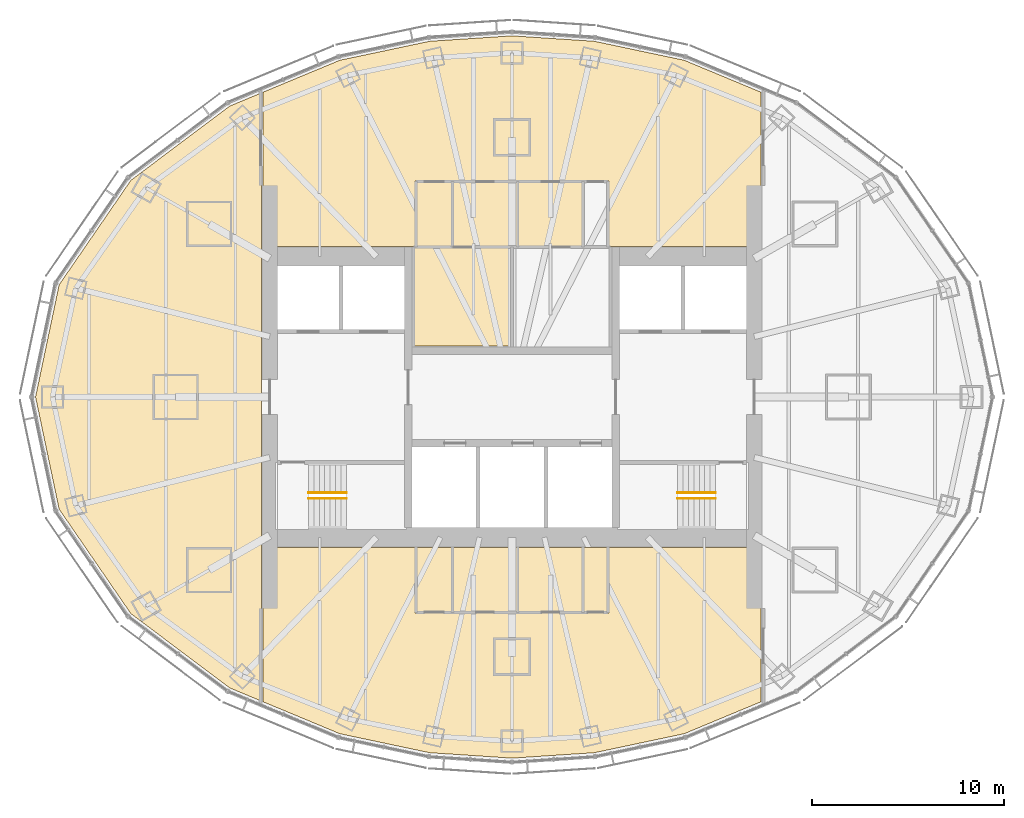
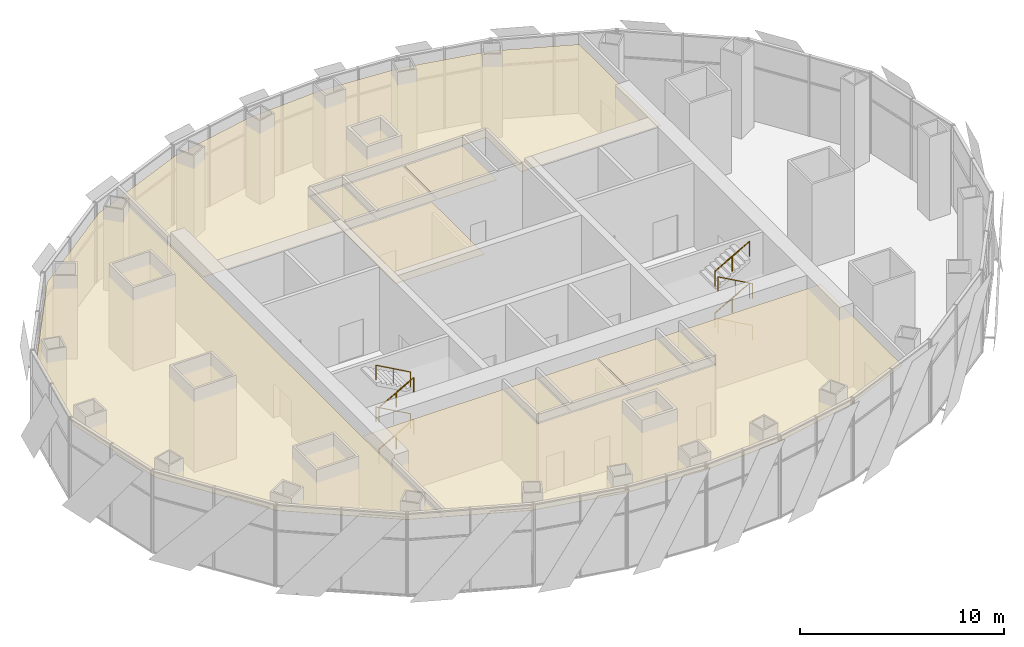
# One storey, part 17 of 17: 11 coverings, 8 railings.
"""IFC4 building model written with IfcOpenShell, lengths in metres."""

from ifc_helpers import new_model, si_unit, direction, frame, origin, origin_2d, place, context, subcontext, project, spatial, polyline, circle, outline, extrude, material, layer, layer_set, type_object, element, save


model = new_model("IFC4")

# Units and contexts
model_context = context("Model", 3, precision=1e-05, world=origin(), true_north=direction((0.0, 1.0)))
body_context = subcontext(model_context, "Body", "Model", "MODEL_VIEW")
ifc_project = project(units=[si_unit("LENGTHUNIT", "METRE"), si_unit("AREAUNIT", "SQUARE_METRE"), si_unit("VOLUMEUNIT", "CUBIC_METRE"), si_unit("PLANEANGLEUNIT", "RADIAN"), si_unit("MASSUNIT", "GRAM", prefix="KILO")], contexts=[model_context])

# Site, building, storey
site_placement = place(None, origin())
site = spatial("IfcSite", under=ifc_project, at=site_placement, CompositionType="ELEMENT")
building_placement = place(site_placement, origin())
building = spatial("IfcBuilding", under=site, at=building_placement, Name="Lantaw Convention Tower", CompositionType="ELEMENT")
storey_placement = place(building_placement, frame((0.0, 0.0, 279.39990234375)))
storey = spatial("IfcBuildingStorey", under=building, at=storey_placement, Name="L65", CompositionType="ELEMENT", Elevation=279.39990234375)

# Railings
ifc_material_1 = material(Name="Stainless steel", Category="steel")
railing_type = type_object("IfcRailingType", Name="Stair handrail", PredefinedType="HANDRAIL", material=ifc_material_1)
railing_1_placement = place(storey_placement, frame((-10.580078125, -5.280029296875, 0.15625)))
element("IfcRailing", 1, at=railing_1_placement, inside=storey, type_object=railing_type, Name="Stair handrail S1", PredefinedType="HANDRAIL", context=body_context, shape_type="SweptSolid", body=[
    extrude(circle(Radius=0.02392578125, at=origin_2d()), frame((0.0, 0.0, 0.8759765625), z_axis=(0.873232148454, 0.0, 0.487304437602), x_axis=(0.0, 1.0, 0.0)), (0.0, 0.0, 1.0), 2.244384765625),
    extrude(circle(Radius=0.02099609375, at=origin_2d()), origin(), (0.0, 0.0, 1.0), 0.851806640625),
    extrude(circle(Radius=0.02099609375, at=origin_2d()), frame((0.97998046875, 0.0, 0.546875)), (0.0, 0.0, 1.0), 0.851806640625),
    extrude(circle(Radius=0.02099609375, at=origin_2d()), frame((1.9599609375, 0.0, 1.09375)), (0.0, 0.0, 1.0), 0.851806640625),
])
railing_2_placement = place(storey_placement, frame((-8.6201171875, -4.97998046875, 1.40625)))
element("IfcRailing", 2, at=railing_2_placement, inside=storey, type_object=railing_type, Name="Stair handrail S1", PredefinedType="HANDRAIL", context=body_context, shape_type="SweptSolid", body=[
    extrude(circle(Radius=0.02392578125, at=origin_2d()), frame((0.0, 0.0, 0.8759765625), z_axis=(-0.873232148454, 0.0, 0.487304437602), x_axis=(0.0, -1.0, 0.0)), (0.0, 0.0, 1.0), 2.244384765625),
    extrude(circle(Radius=0.02099609375, at=origin_2d()), origin(), (0.0, 0.0, 1.0), 0.851806640625),
    extrude(circle(Radius=0.02099609375, at=origin_2d()), frame((-0.97998046875, 0.0, 0.546875)), (0.0, 0.0, 1.0), 0.851806640625),
    extrude(circle(Radius=0.02099609375, at=origin_2d()), frame((-1.9599609375, 0.0, 1.09375)), (0.0, 0.0, 1.0), 0.851806640625),
])
railing_3_placement = place(storey_placement, frame((-10.580078125, -5.280029296875, 2.65625)))
element("IfcRailing", 3, at=railing_3_placement, inside=storey, type_object=railing_type, Name="Stair handrail S1", PredefinedType="HANDRAIL", context=body_context, shape_type="SweptSolid", body=[
    extrude(circle(Radius=0.02392578125, at=origin_2d()), frame((0.0, 0.0, 0.8759765625), z_axis=(0.873232148454, 0.0, 0.487304437602), x_axis=(0.0, 1.0, 0.0)), (0.0, 0.0, 1.0), 2.244384765625),
    extrude(circle(Radius=0.02099609375, at=origin_2d()), origin(), (0.0, 0.0, 1.0), 0.851806640625),
    extrude(circle(Radius=0.02099609375, at=origin_2d()), frame((0.97998046875, 0.0, 0.546875)), (0.0, 0.0, 1.0), 0.851806640625),
    extrude(circle(Radius=0.02099609375, at=origin_2d()), frame((1.9599609375, 0.0, 1.09375)), (0.0, 0.0, 1.0), 0.851806640625),
])
for number, where, name in (
    (4, (-8.6201171875, -4.97998046875, 3.90625), "Stair handrail S1"),
    (5, (10.580078125, -5.280029296875, 0.15625), "Stair handrail S2"),
):
    element("IfcRailing", number, at=place(storey_placement, frame(where)), inside=storey, type_object=railing_type, Name=name, PredefinedType="HANDRAIL", context=body_context, shape_type="SweptSolid", body=[
        extrude(circle(Radius=0.02392578125, at=origin_2d()), frame((0.0, 0.0, 0.8759765625), z_axis=(-0.873232148454, 0.0, 0.487304437602), x_axis=(0.0, -1.0, 0.0)), (0.0, 0.0, 1.0), 2.244384765625),
        extrude(circle(Radius=0.02099609375, at=origin_2d()), origin(), (0.0, 0.0, 1.0), 0.851806640625),
        extrude(circle(Radius=0.02099609375, at=origin_2d()), frame((-0.97998046875, 0.0, 0.546875)), (0.0, 0.0, 1.0), 0.851806640625),
        extrude(circle(Radius=0.02099609375, at=origin_2d()), frame((-1.9599609375, 0.0, 1.09375)), (0.0, 0.0, 1.0), 0.851806640625),
    ])
railing_4_placement = place(storey_placement, frame((8.6201171875, -4.97998046875, 1.40625)))
element("IfcRailing", 6, at=railing_4_placement, inside=storey, type_object=railing_type, Name="Stair handrail S2", PredefinedType="HANDRAIL", context=body_context, shape_type="SweptSolid", body=[
    extrude(circle(Radius=0.02392578125, at=origin_2d()), frame((0.0, 0.0, 0.8759765625), z_axis=(0.873232148454, 0.0, 0.487304437602), x_axis=(0.0, 1.0, 0.0)), (0.0, 0.0, 1.0), 2.244384765625),
    extrude(circle(Radius=0.02099609375, at=origin_2d()), origin(), (0.0, 0.0, 1.0), 0.851806640625),
    extrude(circle(Radius=0.02099609375, at=origin_2d()), frame((0.97998046875, 0.0, 0.546875)), (0.0, 0.0, 1.0), 0.851806640625),
    extrude(circle(Radius=0.02099609375, at=origin_2d()), frame((1.9599609375, 0.0, 1.09375)), (0.0, 0.0, 1.0), 0.851806640625),
])
railing_5_placement = place(storey_placement, frame((10.580078125, -5.280029296875, 2.65625)))
element("IfcRailing", 7, at=railing_5_placement, inside=storey, type_object=railing_type, Name="Stair handrail S2", PredefinedType="HANDRAIL", context=body_context, shape_type="SweptSolid", body=[
    extrude(circle(Radius=0.02392578125, at=origin_2d()), frame((0.0, 0.0, 0.8759765625), z_axis=(-0.873232148454, 0.0, 0.487304437602), x_axis=(0.0, -1.0, 0.0)), (0.0, 0.0, 1.0), 2.244384765625),
    extrude(circle(Radius=0.02099609375, at=origin_2d()), origin(), (0.0, 0.0, 1.0), 0.851806640625),
    extrude(circle(Radius=0.02099609375, at=origin_2d()), frame((-0.97998046875, 0.0, 0.546875)), (0.0, 0.0, 1.0), 0.851806640625),
    extrude(circle(Radius=0.02099609375, at=origin_2d()), frame((-1.9599609375, 0.0, 1.09375)), (0.0, 0.0, 1.0), 0.851806640625),
])
railing_6_placement = place(storey_placement, frame((8.6201171875, -4.97998046875, 3.90625)))
element("IfcRailing", 8, at=railing_6_placement, inside=storey, type_object=railing_type, Name="Stair handrail S2", PredefinedType="HANDRAIL", context=body_context, shape_type="SweptSolid", body=[
    extrude(circle(Radius=0.02392578125, at=origin_2d()), frame((0.0, 0.0, 0.8759765625), z_axis=(0.873232148454, 0.0, 0.487304437602), x_axis=(0.0, 1.0, 0.0)), (0.0, 0.0, 1.0), 2.244384765625),
    extrude(circle(Radius=0.02099609375, at=origin_2d()), origin(), (0.0, 0.0, 1.0), 0.851806640625),
    extrude(circle(Radius=0.02099609375, at=origin_2d()), frame((0.97998046875, 0.0, 0.546875)), (0.0, 0.0, 1.0), 0.851806640625),
    extrude(circle(Radius=0.02099609375, at=origin_2d()), frame((1.9599609375, 0.0, 1.09375)), (0.0, 0.0, 1.0), 0.851806640625),
])

# Coverings
ifc_material_2 = material(Name="Gypsum board on steel suspension grid", Category="steel")
ifc_layer = layer(ifc_material_2, 0.02001953125)
ifc_layer_set = layer_set([ifc_layer], Name="Suspended ceiling")
covering_type = type_object("IfcCoveringType", Name="Suspended ceiling", PredefinedType="CEILING", material=ifc_layer_set)
covering_1_placement = place(storey_placement, frame((0.0, 0.0, 4.2001953125)))
element("IfcCovering", 9, at=covering_1_placement, inside=storey, type_object=covering_type, Name="Accessible WC ceiling", PredefinedType="CEILING", context=body_context, shape_type="SweptSolid", body=[
    extrude(outline(polyline([(-4.9599609375, 7.840087890625), (-3.139892578125, 7.840087890625), (-3.139892578125, 11.159912109375), (-4.9599609375, 11.159912109375), (-4.9599609375, 7.840087890625)])), origin(), (0.0, 0.0, 1.0), 0.02001953125),
])
covering_2_placement = place(storey_placement, frame((0.0, 0.0, 4.2001953125)))
element("IfcCovering", 10, at=covering_2_placement, inside=storey, type_object=covering_type, Name="Male WC ceiling", PredefinedType="CEILING", context=body_context, shape_type="SweptSolid", body=[
    extrude(outline(polyline([(-3.06005859375, 7.840087890625), (0.260009765625, 7.840087890625), (0.260009765625, 11.159912109375), (-3.06005859375, 11.159912109375), (-3.06005859375, 7.840087890625)])), origin(), (0.0, 0.0, 1.0), 0.02001953125),
])
covering_3_placement = place(storey_placement, frame((0.0, 0.0, 4.2001953125)))
element("IfcCovering", 11, at=covering_3_placement, inside=storey, type_object=covering_type, Name="Female WC ceiling", PredefinedType="CEILING", context=body_context, shape_type="SweptSolid", body=[
    extrude(outline(polyline([(0.340087890625, 7.840087890625), (3.659912109375, 7.840087890625), (3.659912109375, 11.159912109375), (0.340087890625, 11.159912109375), (0.340087890625, 7.840087890625)])), origin(), (0.0, 0.0, 1.0), 0.02001953125),
])
covering_4_placement = place(storey_placement, frame((0.0, 0.0, 4.2001953125)))
element("IfcCovering", 12, at=covering_4_placement, inside=storey, type_object=covering_type, Name="Accessible WC ceiling", PredefinedType="CEILING", context=body_context, shape_type="SweptSolid", body=[
    extrude(outline(polyline([(-4.9599609375, -11.159912109375), (-3.139892578125, -11.159912109375), (-3.139892578125, -7.840087890625), (-4.9599609375, -7.840087890625), (-4.9599609375, -11.159912109375)])), origin(), (0.0, 0.0, 1.0), 0.02001953125),
])
covering_5_placement = place(storey_placement, frame((0.0, 0.0, 4.2001953125)))
element("IfcCovering", 13, at=covering_5_placement, inside=storey, type_object=covering_type, Name="Male WC ceiling", PredefinedType="CEILING", context=body_context, shape_type="SweptSolid", body=[
    extrude(outline(polyline([(-3.06005859375, -11.159912109375), (0.260009765625, -11.159912109375), (0.260009765625, -7.840087890625), (-3.06005859375, -7.840087890625), (-3.06005859375, -11.159912109375)])), origin(), (0.0, 0.0, 1.0), 0.02001953125),
])
covering_6_placement = place(storey_placement, frame((0.0, 0.0, 4.2001953125)))
element("IfcCovering", 14, at=covering_6_placement, inside=storey, type_object=covering_type, Name="Female WC ceiling", PredefinedType="CEILING", context=body_context, shape_type="SweptSolid", body=[
    extrude(outline(polyline([(0.340087890625, -11.159912109375), (3.659912109375, -11.159912109375), (3.659912109375, -7.840087890625), (0.340087890625, -7.840087890625), (0.340087890625, -11.159912109375)])), origin(), (0.0, 0.0, 1.0), 0.02001953125),
])
covering_7_placement = place(storey_placement, frame((0.0, 0.0, 4.2001953125)))
element("IfcCovering", 15, at=covering_7_placement, inside=storey, type_object=covering_type, Name="Pantry ceiling", PredefinedType="CEILING", context=body_context, shape_type="SweptSolid", body=[
    extrude(outline(polyline([(3.739990234375, -11.159912109375), (4.9599609375, -11.159912109375), (4.9599609375, -7.840087890625), (3.739990234375, -7.840087890625), (3.739990234375, -11.159912109375)])), origin(), (0.0, 0.0, 1.0), 0.02001953125),
])
covering_8_placement = place(storey_placement, frame((0.0, 0.0, 4.2001953125)))
element("IfcCovering", 16, at=covering_8_placement, inside=storey, type_object=covering_type, Name="IT and comms room ceiling", PredefinedType="CEILING", context=body_context, shape_type="SweptSolid", body=[
    extrude(outline(polyline([(-5.080078125, 2.639892578125), (-0.0400390625, 2.639892578125), (-0.0400390625, 7.760009765625), (-5.080078125, 7.760009765625), (-5.080078125, 2.639892578125)])), origin(), (0.0, 0.0, 1.0), 0.02001953125),
])
covering_9_placement = place(storey_placement, frame((0.0, 0.0, 4.2001953125)))
element("IfcCovering", 17, at=covering_9_placement, inside=storey, type_object=covering_type, Name="Sky restaurant ceiling", PredefinedType="CEILING", context=body_context, shape_type="SweptSolid", body=[
    extrude(outline(polyline([(-8.963623046875, 17.51171875), (-12.9599609375, 15.847412109375), (-12.9599609375, 7.840087890625), (-5.0400390625, 7.840087890625), (-5.0400390625, 11.239990234375), (5.0400390625, 11.239990234375), (5.0400390625, 7.840087890625), (12.9599609375, 7.840087890625), (12.9599609375, 15.847412109375), (8.963623046875, 17.51171875), (4.291015625, 18.50048828125), (0.0, 18.784423828125), (-4.291015625, 18.50048828125), (-8.963623046875, 17.51171875)])), origin(), (0.0, 0.0, 1.0), 0.02001953125),
])
covering_10_placement = place(storey_placement, frame((0.0, 0.0, 4.2001953125)))
element("IfcCovering", 18, at=covering_10_placement, inside=storey, type_object=covering_type, Name="Staff changing room ceiling", PredefinedType="CEILING", context=body_context, shape_type="SweptSolid", body=[
    extrude(outline(polyline([(8.963623046875, -17.51171875), (12.9599609375, -15.847412109375), (12.9599609375, -7.840087890625), (5.0400390625, -7.840087890625), (5.0400390625, -11.239990234375), (-5.0400390625, -11.239990234375), (-5.0400390625, -7.840087890625), (-12.9599609375, -7.840087890625), (-12.9599609375, -15.847412109375), (-8.963623046875, -17.51171875), (-4.291015625, -18.50048828125), (0.0, -18.784423828125), (4.291015625, -18.50048828125), (8.963623046875, -17.51171875)])), origin(), (0.0, 0.0, 1.0), 0.02001953125),
])
covering_11_placement = place(storey_placement, frame((0.0, 0.0, 4.2001953125)))
element("IfcCovering", 19, at=covering_11_placement, inside=storey, type_object=covering_type, Name="Restaurant kitchen ceiling", PredefinedType="CEILING", context=body_context, shape_type="SweptSolid", body=[
    extrude(outline(polyline([(-14.684326171875, -15.12939453125), (-13.0400390625, -15.81396484375), (-13.0400390625, 15.81396484375), (-14.684326171875, 15.12939453125), (-19.82470703125, 11.267578125), (-23.552734375, 5.83642578125), (-24.7802734375, 0.0), (-23.552734375, -5.83642578125), (-19.82470703125, -11.267578125), (-14.684326171875, -15.12939453125)])), origin(), (0.0, 0.0, 1.0), 0.02001953125),
])

save(model, "model.ifc")
